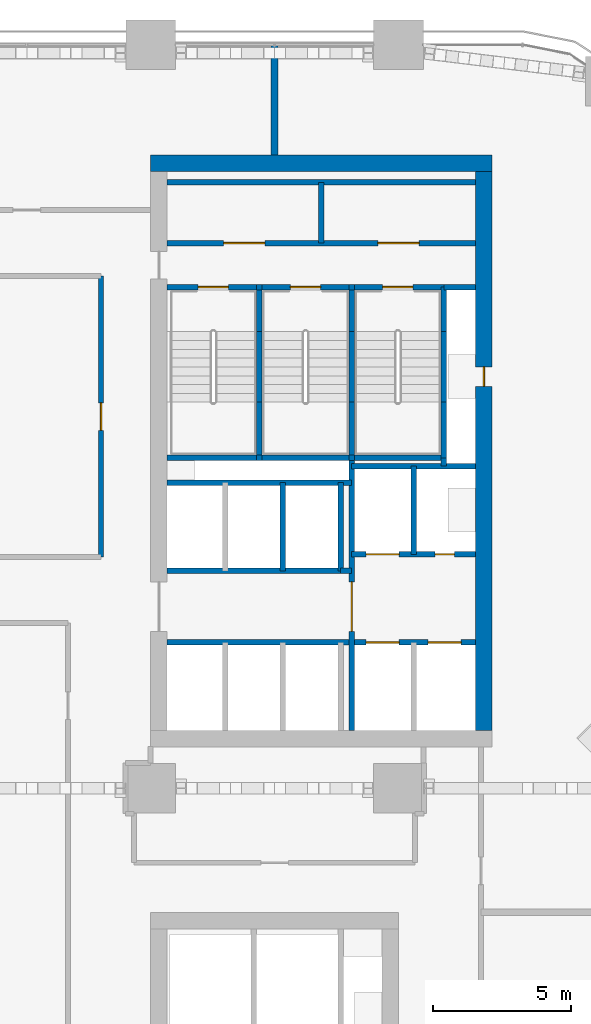
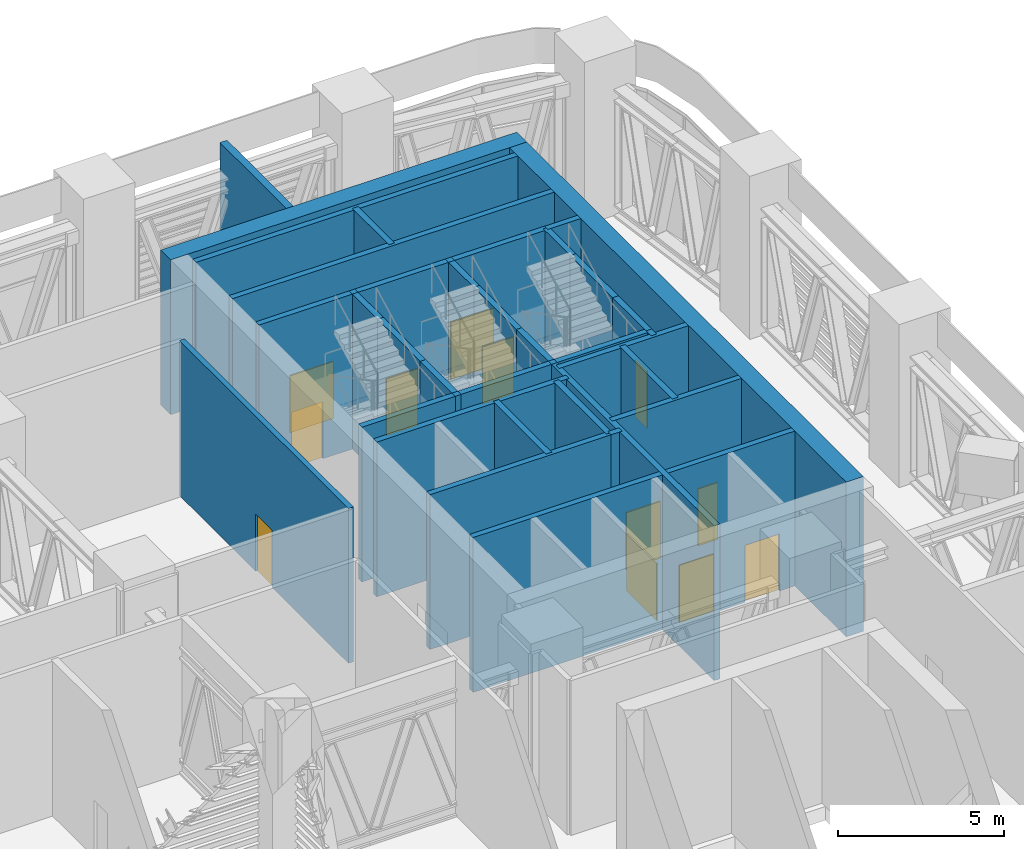
# One storey, part 18 of 24: 38 walls, 12 doors, 12 openings.
"""IFC4 building model written with IfcOpenShell, lengths in metres."""

from ifc_helpers import new_model, si_unit, direction, frame, frame_2d, origin, place, context, subcontext, project, spatial, rectangle, extrude, material, layer, layer_set, type_object, element, fill, save


model = new_model("IFC4")

# Units and contexts
model_context = context("Model", 3, precision=1e-05, world=origin(), true_north=direction((0.0, 1.0)))
body_context = subcontext(model_context, "Body", "Model", "MODEL_VIEW")
ifc_project = project(units=[si_unit("LENGTHUNIT", "METRE"), si_unit("AREAUNIT", "SQUARE_METRE"), si_unit("VOLUMEUNIT", "CUBIC_METRE"), si_unit("PLANEANGLEUNIT", "RADIAN"), si_unit("MASSUNIT", "GRAM", prefix="KILO")], contexts=[model_context])

# Site, building, storey
site_placement = place(None, origin())
site = spatial("IfcSite", under=ifc_project, at=site_placement, CompositionType="ELEMENT")
building_placement = place(site_placement, origin())
building = spatial("IfcBuilding", under=site, at=building_placement, Name="Tessera Arch", CompositionType="ELEMENT")
storey_placement = place(building_placement, frame((0.0, 0.0, 123.39990234375)))
storey = spatial("IfcBuildingStorey", under=building, at=storey_placement, Name="L29", CompositionType="ELEMENT", Elevation=123.39990234375)

# Walls
ifc_material_1 = material(Name="Gypsum board on steel stud", Category="steel")
ifc_layer_1 = layer(ifc_material_1, 0.125)
ifc_layer_set_1 = layer_set([ifc_layer_1], Name="Core partition 125 EI 60")
wall_type_1 = type_object("IfcWallType", Name="Core partition 125 EI 60", PredefinedType="PARTITIONING", material=ifc_layer_set_1)
wall_1_placement = place(storey_placement, frame((42.199951171875, 46.800048828125, 0.0), z_axis=(0.0, 0.0, 1.0), x_axis=(0.0, 1.0, 0.0)))
element("IfcWall", 1, at=wall_1_placement, inside=storey, type_object=wall_type_1, Name="L29 C1 partition wall 8", PredefinedType="PARTITIONING", context=body_context, shape_type="SweptSolid", body=[
    extrude(rectangle(XDim=2.199951171875, YDim=0.199951171875, at=frame_2d((1.10009765625, 0.0))), origin(), (0.0, 0.0, 1.0), 5.7001953125),
])
wall_2_placement = place(storey_placement, frame((42.89990234375, 34.89990234375, 0.0), z_axis=(0.0, 0.0, 1.0), x_axis=(1.0, 0.0, 0.0)))
element("IfcWall", 2, at=wall_2_placement, inside=storey, type_object=wall_type_1, Name="L29 C1 partition wall 22", PredefinedType="PARTITIONING", context=body_context, shape_type="SweptSolid", body=[
    extrude(rectangle(XDim=0.400146484375, YDim=0.199951171875, at=frame_2d((0.2001953125, 0.0))), origin(), (0.0, 0.0, 1.0), 5.7001953125),
])

# Wall, openings, doors
wall_3_placement = place(storey_placement, frame((36.60009765625, 46.800048828125, 0.0), z_axis=(0.0, 0.0, 1.0), x_axis=(1.0, 0.0, 0.0)))
wall_3 = element("IfcWall", 3, at=wall_3_placement, inside=storey, type_object=wall_type_1, Name="L29 C1 partition wall 38", PredefinedType="PARTITIONING", context=body_context, shape_type="SweptSolid", body=[
    extrude(rectangle(XDim=11.199951171875, YDim=0.199951171875, at=frame_2d((5.60009765625, 0.0))), origin(), (0.0, 0.0, 1.0), 5.7001953125),
])
opening_1_placement = place(wall_3_placement, frame((2.050048828125, 0.0, 0.0)))
opening_1 = element("IfcOpeningElement", 4, at=opening_1_placement, cuts=wall_3, Name="Opening L29-C12", PredefinedType="OPENING", context=body_context, shape_type="SweptSolid", body=[
    extrude(rectangle(XDim=1.5, YDim=2.10009765625, at=frame_2d((0.75, 1.050048828125))), frame((0.0, 0.10986328125, 0.0), z_axis=(0.0, -1.0, 0.0), x_axis=(1.0, 0.0, 0.0)), (0.0, 0.0, 1.0), 0.219970703125),
])
opening_2_placement = place(wall_3_placement, frame((7.64990234375, 0.0, 0.0)))
opening_2 = element("IfcOpeningElement", 5, at=opening_2_placement, cuts=wall_3, Name="Opening L29-C13", PredefinedType="OPENING", context=body_context, shape_type="SweptSolid", body=[
    extrude(rectangle(XDim=1.5, YDim=2.10009765625, at=frame_2d((0.75, 1.050048828125))), frame((0.0, 0.10986328125, 0.0), z_axis=(0.0, -1.0, 0.0), x_axis=(1.0, 0.0, 0.0)), (0.0, 0.0, 1.0), 0.219970703125),
])
ifc_material_2 = material(Name="Steel door leaf", Category="steel")
door_type_1 = type_object("IfcDoorType", Name="Plant door FD60 1500 x 2100", OperationType="DOUBLE_DOOR_SINGLE_SWING", PredefinedType="DOOR", material=ifc_material_2)
door_1_placement = place(opening_1_placement, origin())
door_1 = element("IfcDoor", 6, at=door_1_placement, inside=storey, type_object=door_type_1, Name="L29 C1 door 12 C12 type D08", OperationType="DOUBLE_DOOR_SINGLE_SWING", OverallHeight=2.10009765625, OverallWidth=1.5, PredefinedType="DOOR", context=body_context, shape_type="SweptSolid", body=[
    extrude(rectangle(XDim=1.5, YDim=2.10009765625, at=frame_2d((0.75, 1.050048828125))), frame((0.0, 0.02490234375, 0.0), z_axis=(0.0, -1.0, 0.0), x_axis=(1.0, 0.0, 0.0)), (0.0, 0.0, 1.0), 0.050048828125),
])
fill(opening_1, door_1)
door_2_placement = place(opening_2_placement, origin())
door_2 = element("IfcDoor", 7, at=door_2_placement, inside=storey, type_object=door_type_1, Name="L29 C1 door 13 C13 type D08", OperationType="DOUBLE_DOOR_SINGLE_SWING", OverallHeight=2.10009765625, OverallWidth=1.5, PredefinedType="DOOR", context=body_context, shape_type="SweptSolid", body=[
    extrude(rectangle(XDim=1.5, YDim=2.10009765625, at=frame_2d((0.75, 1.050048828125))), frame((0.0, 0.02490234375, 0.0), z_axis=(0.0, -1.0, 0.0), x_axis=(1.0, 0.0, 0.0)), (0.0, 0.0, 1.0), 0.050048828125),
])
fill(opening_2, door_2)

# Walls
wall_4_placement = place(storey_placement, frame((36.60009765625, 49.0, 0.0), z_axis=(0.0, 0.0, 1.0), x_axis=(1.0, 0.0, 0.0)))
element("IfcWall", 8, at=wall_4_placement, inside=storey, type_object=wall_type_1, Name="L29 C1 partition wall 39", PredefinedType="PARTITIONING", context=body_context, shape_type="SweptSolid", body=[
    extrude(rectangle(XDim=11.199951171875, YDim=0.199951171875, at=frame_2d((5.60009765625, 0.0))), origin(), (0.0, 0.0, 1.0), 5.7001953125),
])
ifc_material_3 = material(Name="Concrete C70/85", Category="concrete")
ifc_layer_2 = layer(ifc_material_3, 0.60009765625)
ifc_layer_set_2 = layer_set([ifc_layer_2], Name="Core shell wall 600 C70-85")
wall_type_2 = type_object("IfcWallType", Name="Core shell wall 600 C70-85", PredefinedType="SHEAR", material=ifc_layer_set_2)
wall_5_placement = place(storey_placement, frame((36.0, 49.699951171875, 0.0), z_axis=(0.0, 0.0, 1.0), x_axis=(1.0, 0.0, 0.0)))
element("IfcWall", 9, at=wall_5_placement, inside=storey, type_object=wall_type_2, Name="L29 C1 core wall N", PredefinedType="SHEAR", context=body_context, shape_type="SweptSolid", body=[
    extrude(rectangle(XDim=12.39990234375, YDim=0.60009765625, at=frame_2d((6.199951171875, 0.0))), origin(), (0.0, 0.0, 1.0), 5.7001953125),
])

# Wall, opening, door
wall_6_placement = place(storey_placement, frame((48.10009765625, 29.10009765625, 0.0), z_axis=(0.0, 0.0, 1.0), x_axis=(0.0, 1.0, 0.0)))
wall_6 = element("IfcWall", 10, at=wall_6_placement, inside=storey, type_object=wall_type_2, Name="L29 C1 core wall E", PredefinedType="SHEAR", context=body_context, shape_type="SweptSolid", body=[
    extrude(rectangle(XDim=20.2998046875, YDim=0.60009765625, at=frame_2d((10.14990234375, 0.0))), origin(), (0.0, 0.0, 1.0), 5.7001953125),
])
opening_3_placement = place(wall_6_placement, frame((12.5, 0.0, 0.0)))
opening_3 = element("IfcOpeningElement", 11, at=opening_3_placement, cuts=wall_6, Name="Opening L29-C08", PredefinedType="OPENING", context=body_context, shape_type="SweptSolid", body=[
    extrude(rectangle(XDim=0.699951171875, YDim=2.10009765625, at=frame_2d((0.35009765625, 1.050048828125))), frame((0.0, 0.31005859375, 0.0), z_axis=(0.0, -1.0, 0.0), x_axis=(1.0, 0.0, 0.0)), (0.0, 0.0, 1.0), 0.6201171875),
])
ifc_material_4 = material(Name="Steel door leaf", Category="steel")
door_type_2 = type_object("IfcDoorType", Name="Service shaft door FD60 700 x 2100", OperationType="SINGLE_SWING_LEFT", PredefinedType="DOOR", material=ifc_material_4)
door_3_placement = place(opening_3_placement, origin())
door_3 = element("IfcDoor", 12, at=door_3_placement, inside=storey, type_object=door_type_2, Name="L29 C1 door 8 C08 type D07", OperationType="SINGLE_SWING_RIGHT", OverallHeight=2.10009765625, OverallWidth=0.699951171875, PredefinedType="DOOR", context=body_context, shape_type="SweptSolid", body=[
    extrude(rectangle(XDim=0.699951171875, YDim=2.10009765625, at=frame_2d((0.35009765625, 1.050048828125))), frame((0.0, 0.02490234375, 0.0), z_axis=(0.0, -1.0, 0.0), x_axis=(1.0, 0.0, 0.0)), (0.0, 0.0, 1.0), 0.050048828125),
])
fill(opening_3, door_3)

ifc_material_5 = material(Name="Gypsum board on deep steel stud with mineral wool", Category="steel")
ifc_layer_3 = layer(ifc_material_5, 0.175048828125)
ifc_layer_set_3 = layer_set([ifc_layer_3], Name="Corridor wall 175 EI 60")
wall_type_3 = type_object("IfcWallType", Name="Corridor wall 175 EI 60", PredefinedType="PARTITIONING", material=ifc_layer_set_3)
wall_7_placement = place(storey_placement, frame((34.199951171875, 35.39990234375, 0.0), z_axis=(0.0, 0.0, 1.0), x_axis=(0.0, 1.0, 0.0)))
wall_7 = element("IfcWall", 13, at=wall_7_placement, inside=storey, type_object=wall_type_3, Name="L29 partition 20", PredefinedType="PARTITIONING", context=body_context, shape_type="SweptSolid", body=[
    extrude(rectangle(XDim=10.2001953125, YDim=0.175048828125, at=frame_2d((5.10009765625, 0.0))), origin(), (0.0, 0.0, 1.0), 5.7001953125),
])
opening_4_placement = place(wall_7_placement, frame((4.60009765625, 0.0, 0.0)))
opening_4 = element("IfcOpeningElement", 14, at=opening_4_placement, cuts=wall_7, Name="Opening L29-D009", PredefinedType="OPENING", context=body_context, shape_type="SweptSolid", body=[
    extrude(rectangle(XDim=1.0, YDim=2.10009765625, at=frame_2d((0.5, 1.050048828125))), frame((0.0, 0.097412109375, 0.0), z_axis=(0.0, -1.0, 0.0), x_axis=(1.0, 0.0, 0.0)), (0.0, 0.0, 1.0), 0.195068359375),
])
ifc_material_6 = material(Name="Fire-rated door leaf")
door_type_3 = type_object("IfcDoorType", Name="Entrance door FD60 1000 x 2100", OperationType="SINGLE_SWING_LEFT", PredefinedType="DOOR", material=ifc_material_6)
door_4_placement = place(opening_4_placement, origin())
door_4 = element("IfcDoor", 15, at=door_4_placement, inside=storey, type_object=door_type_3, Name="L29 door D009 type D16", OperationType="SINGLE_SWING_RIGHT", OverallHeight=2.10009765625, OverallWidth=1.0, PredefinedType="DOOR", context=body_context, shape_type="SweptSolid", body=[
    extrude(rectangle(XDim=1.0, YDim=2.10009765625, at=frame_2d((0.5, 1.050048828125))), frame((0.0, 0.02490234375, 0.0), z_axis=(0.0, -1.0, 0.0), x_axis=(1.0, 0.0, 0.0)), (0.0, 0.0, 1.0), 0.050048828125),
])
fill(opening_4, door_4)

# Walls
ifc_material_7 = material(Name="Double gypsum board on twin steel stud with acoustic mineral wool", Category="steel")
ifc_layer_4 = layer(ifc_material_7, 0.25)
ifc_layer_set_4 = layer_set([ifc_layer_4], Name="Party wall 250 EI 60")
wall_type_4 = type_object("IfcWallType", Name="Party wall 250 EI 60", PredefinedType="PARTITIONING", material=ifc_layer_set_4)
wall_8_placement = place(storey_placement, frame((40.5, 50.0, 0.0), z_axis=(0.0, 0.0, 1.0), x_axis=(0.0, 1.0, 0.0)))
element("IfcWall", 16, at=wall_8_placement, inside=storey, type_object=wall_type_4, Name="L29 partition 36", PredefinedType="PARTITIONING", context=body_context, shape_type="SweptSolid", body=[
    extrude(rectangle(XDim=4.0, YDim=0.25, at=frame_2d((2.0, 0.0))), origin(), (0.0, 0.0, 1.0), 5.7001953125),
])
ifc_material_8 = material(Name="Concrete C40/50", Category="concrete")
ifc_layer_5 = layer(ifc_material_8, 0.199951171875)
ifc_layer_set_5 = layer_set([ifc_layer_5], Name="Shaft wall 200 EI 120")
wall_type_5 = type_object("IfcWallType", Name="Shaft wall 200 EI 120", PredefinedType="SOLIDWALL", material=ifc_layer_set_5)
for number, where, z_axis, x_axis, name in (
    (17, (40.800048828125, 34.89990234375, 0.0), (0.0, 0.0, 1.0), (0.0, 1.0, 0.0), "L29 C1 shaft wall 7"),
    (18, (42.89990234375, 34.89990234375, 0.0), (0.0, 0.0, 1.0), (0.0, 1.0, 0.0), "L29 C1 shaft wall 10"),
):
    element("IfcWall", number, at=place(storey_placement, frame(where, z_axis=z_axis, x_axis=x_axis)), inside=storey, type_object=wall_type_5, Name=name, PredefinedType="SOLIDWALL", context=body_context, shape_type="SweptSolid", body=[
        extrude(rectangle(XDim=3.2001953125, YDim=0.199951171875, at=frame_2d((1.60009765625, 0.0))), origin(), (0.0, 0.0, 1.0), 5.7001953125),
    ])

# Wall, opening, door
wall_9_placement = place(storey_placement, frame((43.300048828125, 29.10009765625, 0.0), z_axis=(0.0, 0.0, 1.0), x_axis=(0.0, 1.0, 0.0)))
wall_9 = element("IfcWall", 19, at=wall_9_placement, inside=storey, type_object=wall_type_5, Name="L29 C1 shaft wall 11", PredefinedType="SOLIDWALL", context=body_context, shape_type="SweptSolid", body=[
    extrude(rectangle(XDim=9.89990234375, YDim=0.199951171875, at=frame_2d((4.949951171875, 0.0))), origin(), (0.0, 0.0, 1.0), 5.7001953125),
])
opening_5_placement = place(wall_9_placement, frame((3.60009765625, 0.0, 0.0)))
opening_5 = element("IfcOpeningElement", 20, at=opening_5_placement, cuts=wall_9, Name="Opening L29-C09", PredefinedType="OPENING", context=body_context, shape_type="SweptSolid", body=[
    extrude(rectangle(XDim=1.800048828125, YDim=2.10009765625, at=frame_2d((0.89990234375, 1.050048828125))), frame((0.0, 0.10986328125, 0.0), z_axis=(0.0, -1.0, 0.0), x_axis=(1.0, 0.0, 0.0)), (0.0, 0.0, 1.0), 0.219970703125),
])
ifc_material_9 = material(Name="Glazed steel door leaf", Category="steel")
door_type_4 = type_object("IfcDoorType", Name="Lobby double door FD60 1800 x 2100", OperationType="DOUBLE_DOOR_SINGLE_SWING", PredefinedType="DOOR", material=ifc_material_9)
door_5_placement = place(opening_5_placement, origin())
door_5 = element("IfcDoor", 21, at=door_5_placement, inside=storey, type_object=door_type_4, Name="L29 C1 door 9 C09 type D19", OperationType="DOUBLE_DOOR_SINGLE_SWING", OverallHeight=2.10009765625, OverallWidth=1.800048828125, PredefinedType="DOOR", context=body_context, shape_type="SweptSolid", body=[
    extrude(rectangle(XDim=1.800048828125, YDim=2.10009765625, at=frame_2d((0.89990234375, 1.050048828125))), frame((0.0, 0.02490234375, 0.0), z_axis=(0.0, -1.0, 0.0), x_axis=(1.0, 0.0, 0.0)), (0.0, 0.0, 1.0), 0.050048828125),
])
fill(opening_5, door_5)

# Walls
wall_10_placement = place(storey_placement, frame((45.550048828125, 35.5, 0.0), z_axis=(0.0, 0.0, 1.0), x_axis=(0.0, 1.0, 0.0)))
element("IfcWall", 22, at=wall_10_placement, inside=storey, type_object=wall_type_5, Name="L29 C1 shaft wall 16", PredefinedType="SOLIDWALL", context=body_context, shape_type="SweptSolid", body=[
    extrude(rectangle(XDim=3.199951171875, YDim=0.199951171875, at=frame_2d((1.60009765625, 0.0))), origin(), (0.0, 0.0, 1.0), 5.7001953125),
])
wall_11_placement = place(storey_placement, frame((46.64990234375, 38.699951171875, 0.0), z_axis=(0.0, 0.0, 1.0), x_axis=(0.0, 1.0, 0.0)))
element("IfcWall", 23, at=wall_11_placement, inside=storey, type_object=wall_type_5, Name="L29 C1 shaft wall 17", PredefinedType="SOLIDWALL", context=body_context, shape_type="SweptSolid", body=[
    extrude(rectangle(XDim=0.300048828125, YDim=0.199951171875, at=frame_2d((0.14990234375, 0.0))), origin(), (0.0, 0.0, 1.0), 5.7001953125),
])

# Wall, openings, doors
wall_12_placement = place(storey_placement, frame((36.60009765625, 32.300048828125, 0.0), z_axis=(0.0, 0.0, 1.0), x_axis=(1.0, 0.0, 0.0)))
wall_12 = element("IfcWall", 24, at=wall_12_placement, inside=storey, type_object=wall_type_5, Name="L29 C1 shaft wall 21", PredefinedType="SOLIDWALL", context=body_context, shape_type="SweptSolid", body=[
    extrude(rectangle(XDim=11.199951171875, YDim=0.199951171875, at=frame_2d((5.60009765625, 0.0))), origin(), (0.0, 0.0, 1.0), 5.7001953125),
])
opening_6_placement = place(wall_12_placement, frame((7.22509765625, 0.0, 0.0)))
opening_6 = element("IfcOpeningElement", 25, at=opening_6_placement, cuts=wall_12, Name="Opening L29-C01", PredefinedType="OPENING", context=body_context, shape_type="SweptSolid", body=[
    extrude(rectangle(XDim=1.199951171875, YDim=2.10009765625, at=frame_2d((0.60009765625, 1.050048828125))), frame((0.0, 0.10986328125, 0.0), z_axis=(0.0, -1.0, 0.0), x_axis=(1.0, 0.0, 0.0)), (0.0, 0.0, 1.0), 0.219970703125),
])
opening_7_placement = place(wall_12_placement, frame((9.47509765625, 0.0, 0.0)))
opening_7 = element("IfcOpeningElement", 26, at=opening_7_placement, cuts=wall_12, Name="Opening L29-C02", PredefinedType="OPENING", context=body_context, shape_type="SweptSolid", body=[
    extrude(rectangle(XDim=1.199951171875, YDim=2.10009765625, at=frame_2d((0.60009765625, 1.050048828125))), frame((0.0, 0.10986328125, 0.0), z_axis=(0.0, -1.0, 0.0), x_axis=(1.0, 0.0, 0.0)), (0.0, 0.0, 1.0), 0.219970703125),
])
ifc_material_10 = material(Name="Stainless steel AISI 304", Category="steel")
door_type_5 = type_object("IfcDoorType", Name="Sliding landing door 1200 x 2100", OperationType="SLIDING_TO_LEFT", PredefinedType="DOOR", material=ifc_material_10)
door_6_placement = place(opening_6_placement, origin())
door_6 = element("IfcDoor", 27, at=door_6_placement, inside=storey, type_object=door_type_5, Name="L29 FF1 lift landing door C01 type LD", OperationType="SLIDING_TO_LEFT", OverallHeight=2.10009765625, OverallWidth=1.199951171875, PredefinedType="DOOR", context=body_context, shape_type="SweptSolid", body=[
    extrude(rectangle(XDim=1.199951171875, YDim=2.10009765625, at=frame_2d((0.60009765625, 1.050048828125))), frame((0.0, 0.02490234375, 0.0), z_axis=(0.0, -1.0, 0.0), x_axis=(1.0, 0.0, 0.0)), (0.0, 0.0, 1.0), 0.050048828125),
])
fill(opening_6, door_6)
door_7_placement = place(opening_7_placement, origin())
door_7 = element("IfcDoor", 28, at=door_7_placement, inside=storey, type_object=door_type_5, Name="L29 FF2 lift landing door C02 type LD", OperationType="SLIDING_TO_LEFT", OverallHeight=2.10009765625, OverallWidth=1.199951171875, PredefinedType="DOOR", context=body_context, shape_type="SweptSolid", body=[
    extrude(rectangle(XDim=1.199951171875, YDim=2.10009765625, at=frame_2d((0.60009765625, 1.050048828125))), frame((0.0, 0.02490234375, 0.0), z_axis=(0.0, -1.0, 0.0), x_axis=(1.0, 0.0, 0.0)), (0.0, 0.0, 1.0), 0.050048828125),
])
fill(opening_7, door_7)

# Wall
wall_13_placement = place(storey_placement, frame((36.60009765625, 34.89990234375, 0.0), z_axis=(0.0, 0.0, 1.0), x_axis=(1.0, 0.0, 0.0)))
element("IfcWall", 29, at=wall_13_placement, inside=storey, type_object=wall_type_5, Name="L29 C1 shaft wall 23", PredefinedType="SOLIDWALL", context=body_context, shape_type="SweptSolid", body=[
    extrude(rectangle(XDim=6.2998046875, YDim=0.199951171875, at=frame_2d((3.14990234375, 0.0))), origin(), (0.0, 0.0, 1.0), 5.7001953125),
])

# Wall, openings, doors
wall_14_placement = place(storey_placement, frame((43.300048828125, 35.5, 0.0), z_axis=(0.0, 0.0, 1.0), x_axis=(1.0, 0.0, 0.0)))
wall_14 = element("IfcWall", 30, at=wall_14_placement, inside=storey, type_object=wall_type_5, Name="L29 C1 shaft wall 24", PredefinedType="SOLIDWALL", context=body_context, shape_type="SweptSolid", body=[
    extrude(rectangle(XDim=4.5, YDim=0.199951171875, at=frame_2d((2.25, 0.0))), origin(), (0.0, 0.0, 1.0), 5.7001953125),
])
opening_8_placement = place(wall_14_placement, frame((0.52490234375, 0.0, 0.0)))
opening_8 = element("IfcOpeningElement", 31, at=opening_8_placement, cuts=wall_14, Name="Opening L29-C03", PredefinedType="OPENING", context=body_context, shape_type="SweptSolid", body=[
    extrude(rectangle(XDim=1.199951171875, YDim=2.10009765625, at=frame_2d((0.60009765625, 1.050048828125))), frame((0.0, 0.10986328125, 0.0), z_axis=(0.0, -1.0, 0.0), x_axis=(1.0, 0.0, 0.0)), (0.0, 0.0, 1.0), 0.219970703125),
])
opening_9_placement = place(wall_14_placement, frame((3.02490234375, 0.0, 0.0)))
opening_9 = element("IfcOpeningElement", 32, at=opening_9_placement, cuts=wall_14, Name="Opening L29-C10", PredefinedType="OPENING", context=body_context, shape_type="SweptSolid", body=[
    extrude(rectangle(XDim=0.699951171875, YDim=2.10009765625, at=frame_2d((0.35009765625, 1.050048828125))), frame((0.0, 0.10986328125, 0.0), z_axis=(0.0, -1.0, 0.0), x_axis=(1.0, 0.0, 0.0)), (0.0, 0.0, 1.0), 0.219970703125),
])
door_8_placement = place(opening_9_placement, origin())
door_8 = element("IfcDoor", 33, at=door_8_placement, inside=storey, type_object=door_type_2, Name="L29 C1 door 10 C10 type D07", OperationType="SINGLE_SWING_RIGHT", OverallHeight=2.10009765625, OverallWidth=0.699951171875, PredefinedType="DOOR", context=body_context, shape_type="SweptSolid", body=[
    extrude(rectangle(XDim=0.699951171875, YDim=2.10009765625, at=frame_2d((0.35009765625, 1.050048828125))), frame((0.0, 0.02490234375, 0.0), z_axis=(0.0, -1.0, 0.0), x_axis=(1.0, 0.0, 0.0)), (0.0, 0.0, 1.0), 0.050048828125),
])
fill(opening_9, door_8)
door_9_placement = place(opening_8_placement, origin())
door_9 = element("IfcDoor", 34, at=door_9_placement, inside=storey, type_object=door_type_5, Name="L29 SV2 lift landing door C03 type LD", OperationType="SLIDING_TO_LEFT", OverallHeight=2.10009765625, OverallWidth=1.199951171875, PredefinedType="DOOR", context=body_context, shape_type="SweptSolid", body=[
    extrude(rectangle(XDim=1.199951171875, YDim=2.10009765625, at=frame_2d((0.60009765625, 1.050048828125))), frame((0.0, 0.02490234375, 0.0), z_axis=(0.0, -1.0, 0.0), x_axis=(1.0, 0.0, 0.0)), (0.0, 0.0, 1.0), 0.050048828125),
])
fill(opening_8, door_9)

# Walls
wall_15_placement = place(storey_placement, frame((36.60009765625, 38.10009765625, 0.0), z_axis=(0.0, 0.0, 1.0), x_axis=(1.0, 0.0, 0.0)))
element("IfcWall", 35, at=wall_15_placement, inside=storey, type_object=wall_type_5, Name="L29 C1 shaft wall 25", PredefinedType="SOLIDWALL", context=body_context, shape_type="SweptSolid", body=[
    extrude(rectangle(XDim=6.699951171875, YDim=0.199951171875, at=frame_2d((3.35009765625, 0.0))), origin(), (0.0, 0.0, 1.0), 5.7001953125),
])
wall_16_placement = place(storey_placement, frame((43.300048828125, 38.699951171875, 0.0), z_axis=(0.0, 0.0, 1.0), x_axis=(1.0, 0.0, 0.0)))
element("IfcWall", 36, at=wall_16_placement, inside=storey, type_object=wall_type_5, Name="L29 C1 shaft wall 26", PredefinedType="SOLIDWALL", context=body_context, shape_type="SweptSolid", body=[
    extrude(rectangle(XDim=4.5, YDim=0.199951171875, at=frame_2d((2.25, 0.0))), origin(), (0.0, 0.0, 1.0), 5.7001953125),
])
wall_17_placement = place(storey_placement, frame((46.64990234375, 45.199951171875, 0.0), z_axis=(0.0, 0.0, 1.0), x_axis=(1.0, 0.0, 0.0)))
element("IfcWall", 37, at=wall_17_placement, inside=storey, type_object=wall_type_5, Name="L29 C1 shaft wall 32", PredefinedType="SOLIDWALL", context=body_context, shape_type="SweptSolid", body=[
    extrude(rectangle(XDim=1.150146484375, YDim=0.199951171875, at=frame_2d((0.5751953125, 0.0))), origin(), (0.0, 0.0, 1.0), 5.7001953125),
])
ifc_material_11 = material(Name="Concrete C40/50", Category="concrete")
ifc_layer_6 = layer(ifc_material_11, 0.199951171875)
ifc_layer_set_6 = layer_set([ifc_layer_6], Name="Stair well wall 200 REI 180")
wall_type_6 = type_object("IfcWallType", Name="Stair well wall 200 REI 180", PredefinedType="SOLIDWALL", material=ifc_layer_set_6)
wall_18_placement = place(storey_placement, frame((39.949951171875, 39.0, 0.0), z_axis=(0.0, 0.0, 1.0), x_axis=(0.0, 1.0, 0.0)))
element("IfcWall", 38, at=wall_18_placement, inside=storey, type_object=wall_type_6, Name="L29 C1 shaft wall 3", PredefinedType="SOLIDWALL", context=body_context, shape_type="SweptSolid", body=[
    extrude(rectangle(XDim=2.02001953125, YDim=0.199951171875, at=frame_2d((1.010009765625, 0.0))), origin(), (0.0, 0.0, 1.0), 5.7001953125),
])
wall_19_placement = place(storey_placement, frame((39.949951171875, 41.02001953125, 0.0), z_axis=(0.0, 0.0, 1.0), x_axis=(0.0, 1.0, 0.0)))
element("IfcWall", 39, at=wall_19_placement, inside=storey, type_object=wall_type_6, Name="L29 C1 shaft wall 4", PredefinedType="SOLIDWALL", context=body_context, shape_type="SweptSolid", body=[
    extrude(rectangle(XDim=2.56005859375, YDim=0.199951171875, at=frame_2d((1.280029296875, 0.0))), origin(), (0.0, 0.0, 1.0), 5.7001953125),
])
wall_20_placement = place(storey_placement, frame((39.949951171875, 43.580078125, 0.0), z_axis=(0.0, 0.0, 1.0), x_axis=(0.0, 1.0, 0.0)))
element("IfcWall", 40, at=wall_20_placement, inside=storey, type_object=wall_type_6, Name="L29 C1 shaft wall 5", PredefinedType="SOLIDWALL", context=body_context, shape_type="SweptSolid", body=[
    extrude(rectangle(XDim=1.619873046875, YDim=0.199951171875, at=frame_2d((0.81005859375, 0.0))), origin(), (0.0, 0.0, 1.0), 5.7001953125),
])
wall_21_placement = place(storey_placement, frame((43.300048828125, 39.0, 0.0), z_axis=(0.0, 0.0, 1.0), x_axis=(0.0, 1.0, 0.0)))
element("IfcWall", 41, at=wall_21_placement, inside=storey, type_object=wall_type_6, Name="L29 C1 shaft wall 12", PredefinedType="SOLIDWALL", context=body_context, shape_type="SweptSolid", body=[
    extrude(rectangle(XDim=2.02001953125, YDim=0.199951171875, at=frame_2d((1.010009765625, 0.0))), origin(), (0.0, 0.0, 1.0), 5.7001953125),
])
wall_22_placement = place(storey_placement, frame((43.300048828125, 41.02001953125, 0.0), z_axis=(0.0, 0.0, 1.0), x_axis=(0.0, 1.0, 0.0)))
element("IfcWall", 42, at=wall_22_placement, inside=storey, type_object=wall_type_6, Name="L29 C1 shaft wall 13", PredefinedType="SOLIDWALL", context=body_context, shape_type="SweptSolid", body=[
    extrude(rectangle(XDim=2.56005859375, YDim=0.199951171875, at=frame_2d((1.280029296875, 0.0))), origin(), (0.0, 0.0, 1.0), 5.7001953125),
])
wall_23_placement = place(storey_placement, frame((43.300048828125, 43.580078125, 0.0), z_axis=(0.0, 0.0, 1.0), x_axis=(0.0, 1.0, 0.0)))
element("IfcWall", 43, at=wall_23_placement, inside=storey, type_object=wall_type_6, Name="L29 C1 shaft wall 14", PredefinedType="SOLIDWALL", context=body_context, shape_type="SweptSolid", body=[
    extrude(rectangle(XDim=1.619873046875, YDim=0.199951171875, at=frame_2d((0.81005859375, 0.0))), origin(), (0.0, 0.0, 1.0), 5.7001953125),
])
wall_24_placement = place(storey_placement, frame((46.64990234375, 39.0, 0.0), z_axis=(0.0, 0.0, 1.0), x_axis=(0.0, 1.0, 0.0)))
element("IfcWall", 44, at=wall_24_placement, inside=storey, type_object=wall_type_6, Name="L29 C1 shaft wall 18", PredefinedType="SOLIDWALL", context=body_context, shape_type="SweptSolid", body=[
    extrude(rectangle(XDim=2.02001953125, YDim=0.199951171875, at=frame_2d((1.010009765625, 0.0))), origin(), (0.0, 0.0, 1.0), 5.7001953125),
])
wall_25_placement = place(storey_placement, frame((46.64990234375, 41.02001953125, 0.0), z_axis=(0.0, 0.0, 1.0), x_axis=(0.0, 1.0, 0.0)))
element("IfcWall", 45, at=wall_25_placement, inside=storey, type_object=wall_type_6, Name="L29 C1 shaft wall 19", PredefinedType="SOLIDWALL", context=body_context, shape_type="SweptSolid", body=[
    extrude(rectangle(XDim=2.56005859375, YDim=0.199951171875, at=frame_2d((1.280029296875, 0.0))), origin(), (0.0, 0.0, 1.0), 5.7001953125),
])
wall_26_placement = place(storey_placement, frame((46.64990234375, 43.580078125, 0.0), z_axis=(0.0, 0.0, 1.0), x_axis=(0.0, 1.0, 0.0)))
element("IfcWall", 46, at=wall_26_placement, inside=storey, type_object=wall_type_6, Name="L29 C1 shaft wall 20", PredefinedType="SOLIDWALL", context=body_context, shape_type="SweptSolid", body=[
    extrude(rectangle(XDim=1.619873046875, YDim=0.199951171875, at=frame_2d((0.81005859375, 0.0))), origin(), (0.0, 0.0, 1.0), 5.7001953125),
])
wall_27_placement = place(storey_placement, frame((36.60009765625, 39.0, 0.0), z_axis=(0.0, 0.0, 1.0), x_axis=(1.0, 0.0, 0.0)))
element("IfcWall", 47, at=wall_27_placement, inside=storey, type_object=wall_type_6, Name="L29 C1 shaft wall 27", PredefinedType="SOLIDWALL", context=body_context, shape_type="SweptSolid", body=[
    extrude(rectangle(XDim=3.25, YDim=0.199951171875, at=frame_2d((1.625, 0.0))), origin(), (0.0, 0.0, 1.0), 5.7001953125),
])
wall_28_placement = place(storey_placement, frame((39.85009765625, 39.0, 0.0), z_axis=(0.0, 0.0, 1.0), x_axis=(1.0, 0.0, 0.0)))
element("IfcWall", 48, at=wall_28_placement, inside=storey, type_object=wall_type_6, Name="L29 C1 shaft wall 28", PredefinedType="SOLIDWALL", context=body_context, shape_type="SweptSolid", body=[
    extrude(rectangle(XDim=0.199951171875, YDim=0.199951171875, at=frame_2d((0.10009765625, 0.0))), origin(), (0.0, 0.0, 1.0), 5.7001953125),
])
wall_29_placement = place(storey_placement, frame((40.050048828125, 39.0, 0.0), z_axis=(0.0, 0.0, 1.0), x_axis=(1.0, 0.0, 0.0)))
element("IfcWall", 49, at=wall_29_placement, inside=storey, type_object=wall_type_6, Name="L29 C1 shaft wall 29", PredefinedType="SOLIDWALL", context=body_context, shape_type="SweptSolid", body=[
    extrude(rectangle(XDim=3.14990234375, YDim=0.199951171875, at=frame_2d((1.574951171875, 0.0))), origin(), (0.0, 0.0, 1.0), 5.7001953125),
])
wall_30_placement = place(storey_placement, frame((43.199951171875, 39.0, 0.0), z_axis=(0.0, 0.0, 1.0), x_axis=(1.0, 0.0, 0.0)))
element("IfcWall", 50, at=wall_30_placement, inside=storey, type_object=wall_type_6, Name="L29 C1 shaft wall 30", PredefinedType="SOLIDWALL", context=body_context, shape_type="SweptSolid", body=[
    extrude(rectangle(XDim=0.199951171875, YDim=0.199951171875, at=frame_2d((0.10009765625, 0.0))), origin(), (0.0, 0.0, 1.0), 5.7001953125),
])
wall_31_placement = place(storey_placement, frame((43.39990234375, 39.0, 0.0), z_axis=(0.0, 0.0, 1.0), x_axis=(1.0, 0.0, 0.0)))
element("IfcWall", 51, at=wall_31_placement, inside=storey, type_object=wall_type_6, Name="L29 C1 shaft wall 31", PredefinedType="SOLIDWALL", context=body_context, shape_type="SweptSolid", body=[
    extrude(rectangle(XDim=3.25, YDim=0.199951171875, at=frame_2d((1.625, 0.0))), origin(), (0.0, 0.0, 1.0), 5.7001953125),
])

# Wall, opening, door
wall_32_placement = place(storey_placement, frame((36.60009765625, 45.199951171875, 0.0), z_axis=(0.0, 0.0, 1.0), x_axis=(1.0, 0.0, 0.0)))
wall_32 = element("IfcWall", 52, at=wall_32_placement, inside=storey, type_object=wall_type_6, Name="L29 C1 shaft wall 33", PredefinedType="SOLIDWALL", context=body_context, shape_type="SweptSolid", body=[
    extrude(rectangle(XDim=3.25, YDim=0.199951171875, at=frame_2d((1.625, 0.0))), origin(), (0.0, 0.0, 1.0), 5.7001953125),
])
opening_10_placement = place(wall_32_placement, frame((1.125, 0.0, 0.0)))
opening_10 = element("IfcOpeningElement", 53, at=opening_10_placement, cuts=wall_32, Name="Opening L29-C05", PredefinedType="OPENING", context=body_context, shape_type="SweptSolid", body=[
    extrude(rectangle(XDim=1.10009765625, YDim=2.10009765625, at=frame_2d((0.550048828125, 1.050048828125))), frame((0.0, 0.10986328125, 0.0), z_axis=(0.0, -1.0, 0.0), x_axis=(1.0, 0.0, 0.0)), (0.0, 0.0, 1.0), 0.219970703125),
])
ifc_material_12 = material(Name="Steel door leaf", Category="steel")
door_type_6 = type_object("IfcDoorType", Name="Stair door FD60 1100 x 2100", OperationType="SINGLE_SWING_LEFT", PredefinedType="DOOR", material=ifc_material_12)
door_10_placement = place(opening_10_placement, origin())
door_10 = element("IfcDoor", 54, at=door_10_placement, inside=storey, type_object=door_type_6, Name="L29 C1 door 5 C05 type D05", OperationType="SINGLE_SWING_RIGHT", OverallHeight=2.10009765625, OverallWidth=1.10009765625, PredefinedType="DOOR", context=body_context, shape_type="SweptSolid", body=[
    extrude(rectangle(XDim=1.10009765625, YDim=2.10009765625, at=frame_2d((0.550048828125, 1.050048828125))), frame((0.0, 0.02490234375, 0.0), z_axis=(0.0, -1.0, 0.0), x_axis=(1.0, 0.0, 0.0)), (0.0, 0.0, 1.0), 0.050048828125),
])
fill(opening_10, door_10)

# Wall
wall_33_placement = place(storey_placement, frame((39.85009765625, 45.199951171875, 0.0), z_axis=(0.0, 0.0, 1.0), x_axis=(1.0, 0.0, 0.0)))
element("IfcWall", 55, at=wall_33_placement, inside=storey, type_object=wall_type_6, Name="L29 C1 shaft wall 34", PredefinedType="SOLIDWALL", context=body_context, shape_type="SweptSolid", body=[
    extrude(rectangle(XDim=0.199951171875, YDim=0.199951171875, at=frame_2d((0.10009765625, 0.0))), origin(), (0.0, 0.0, 1.0), 5.7001953125),
])

# Wall, opening, door
wall_34_placement = place(storey_placement, frame((40.050048828125, 45.199951171875, 0.0), z_axis=(0.0, 0.0, 1.0), x_axis=(1.0, 0.0, 0.0)))
wall_34 = element("IfcWall", 56, at=wall_34_placement, inside=storey, type_object=wall_type_6, Name="L29 C1 shaft wall 35", PredefinedType="SOLIDWALL", context=body_context, shape_type="SweptSolid", body=[
    extrude(rectangle(XDim=3.14990234375, YDim=0.199951171875, at=frame_2d((1.574951171875, 0.0))), origin(), (0.0, 0.0, 1.0), 5.7001953125),
])
opening_11_placement = place(wall_34_placement, frame((1.02490234375, 0.0, 0.0)))
opening_11 = element("IfcOpeningElement", 57, at=opening_11_placement, cuts=wall_34, Name="Opening L29-C06", PredefinedType="OPENING", context=body_context, shape_type="SweptSolid", body=[
    extrude(rectangle(XDim=1.10009765625, YDim=2.10009765625, at=frame_2d((0.550048828125, 1.050048828125))), frame((0.0, 0.10986328125, 0.0), z_axis=(0.0, -1.0, 0.0), x_axis=(1.0, 0.0, 0.0)), (0.0, 0.0, 1.0), 0.219970703125),
])
door_11_placement = place(opening_11_placement, origin())
door_11 = element("IfcDoor", 58, at=door_11_placement, inside=storey, type_object=door_type_6, Name="L29 C1 door 6 C06 type D05", OperationType="SINGLE_SWING_LEFT", OverallHeight=2.10009765625, OverallWidth=1.10009765625, PredefinedType="DOOR", context=body_context, shape_type="SweptSolid", body=[
    extrude(rectangle(XDim=1.10009765625, YDim=2.10009765625, at=frame_2d((0.550048828125, 1.050048828125))), frame((0.0, 0.02490234375, 0.0), z_axis=(0.0, -1.0, 0.0), x_axis=(1.0, 0.0, 0.0)), (0.0, 0.0, 1.0), 0.050048828125),
])
fill(opening_11, door_11)

# Wall
wall_35_placement = place(storey_placement, frame((43.199951171875, 45.199951171875, 0.0), z_axis=(0.0, 0.0, 1.0), x_axis=(1.0, 0.0, 0.0)))
element("IfcWall", 59, at=wall_35_placement, inside=storey, type_object=wall_type_6, Name="L29 C1 shaft wall 36", PredefinedType="SOLIDWALL", context=body_context, shape_type="SweptSolid", body=[
    extrude(rectangle(XDim=0.199951171875, YDim=0.199951171875, at=frame_2d((0.10009765625, 0.0))), origin(), (0.0, 0.0, 1.0), 5.7001953125),
])

# Wall, opening, door
wall_36_placement = place(storey_placement, frame((43.39990234375, 45.199951171875, 0.0), z_axis=(0.0, 0.0, 1.0), x_axis=(1.0, 0.0, 0.0)))
wall_36 = element("IfcWall", 60, at=wall_36_placement, inside=storey, type_object=wall_type_6, Name="L29 C1 shaft wall 37", PredefinedType="SOLIDWALL", context=body_context, shape_type="SweptSolid", body=[
    extrude(rectangle(XDim=3.25, YDim=0.199951171875, at=frame_2d((1.625, 0.0))), origin(), (0.0, 0.0, 1.0), 5.7001953125),
])
opening_12_placement = place(wall_36_placement, frame((1.02490234375, 0.0, 0.0)))
opening_12 = element("IfcOpeningElement", 61, at=opening_12_placement, cuts=wall_36, Name="Opening L29-C07", PredefinedType="OPENING", context=body_context, shape_type="SweptSolid", body=[
    extrude(rectangle(XDim=1.10009765625, YDim=2.10009765625, at=frame_2d((0.550048828125, 1.050048828125))), frame((0.0, 0.10986328125, 0.0), z_axis=(0.0, -1.0, 0.0), x_axis=(1.0, 0.0, 0.0)), (0.0, 0.0, 1.0), 0.219970703125),
])
door_12_placement = place(opening_12_placement, origin())
door_12 = element("IfcDoor", 62, at=door_12_placement, inside=storey, type_object=door_type_6, Name="L29 C1 door 7 C07 type D05", OperationType="SINGLE_SWING_LEFT", OverallHeight=2.10009765625, OverallWidth=1.10009765625, PredefinedType="DOOR", context=body_context, shape_type="SweptSolid", body=[
    extrude(rectangle(XDim=1.10009765625, YDim=2.10009765625, at=frame_2d((0.550048828125, 1.050048828125))), frame((0.0, 0.02490234375, 0.0), z_axis=(0.0, -1.0, 0.0), x_axis=(1.0, 0.0, 0.0)), (0.0, 0.0, 1.0), 0.050048828125),
])
fill(opening_12, door_12)

save(model, "model.ifc")
